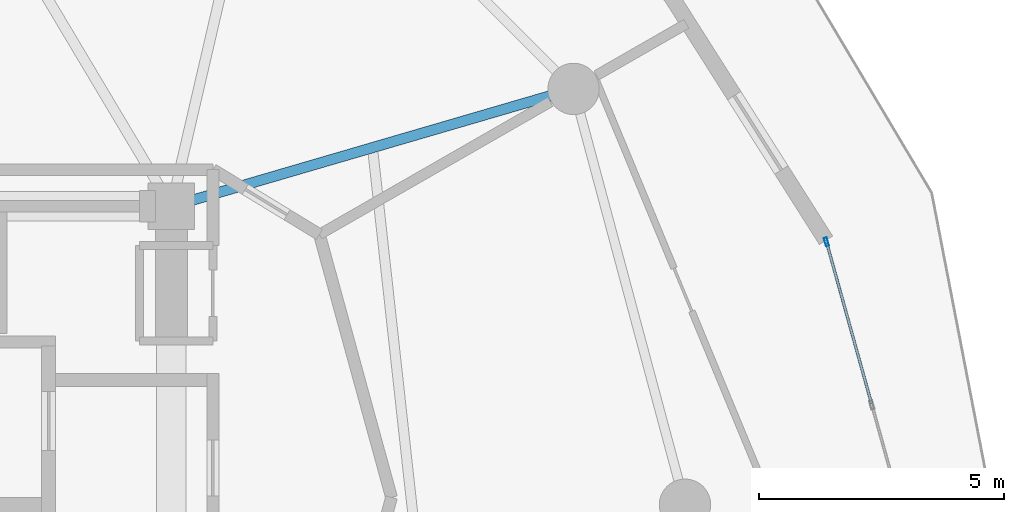
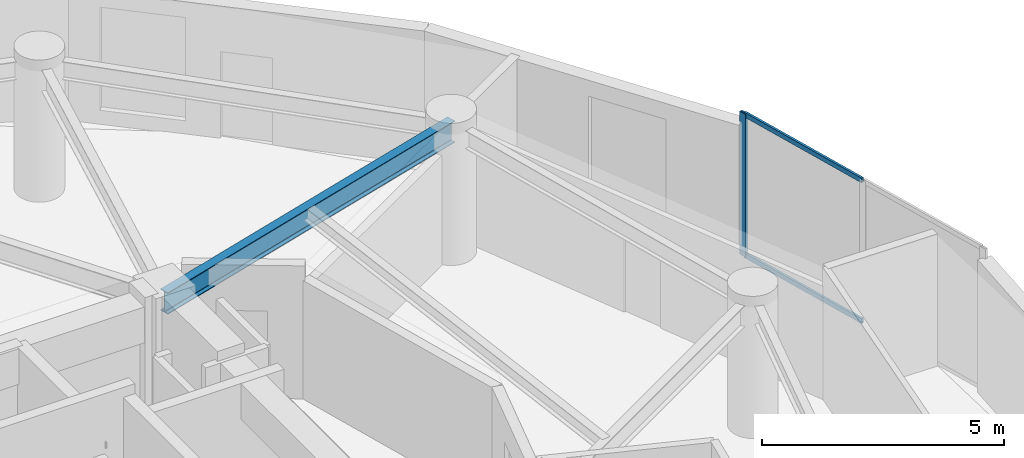
# One storey, part 14 of 25: 3 members, 1 beam, 1 element without a shape of its own.
"""IFC4 building model written with IfcOpenShell, lengths in metres."""

from ifc_helpers import new_model, si_unit, direction, frame, origin, origin_2d, place, context, subcontext, project, spatial, hollow_rectangle, i_section, extrude, source, transform, mapped, material, layer, layer_set, material_profile, profile_set, type_object, element, aggregate, save


model = new_model("IFC4")

# Units and contexts
model_context = context("Model", 3, precision=1e-05, world=origin(), true_north=direction((0.0, 1.0)))
body_context = subcontext(model_context, "Body", "Model", "MODEL_VIEW")
ifc_project = project(units=[si_unit("LENGTHUNIT", "METRE"), si_unit("AREAUNIT", "SQUARE_METRE"), si_unit("VOLUMEUNIT", "CUBIC_METRE"), si_unit("PLANEANGLEUNIT", "RADIAN"), si_unit("MASSUNIT", "GRAM", prefix="KILO")], contexts=[model_context])

# Site, building, storey
site_placement = place(None, origin())
site = spatial("IfcSite", under=ifc_project, at=site_placement, CompositionType="ELEMENT")
building_placement = place(site_placement, origin())
building = spatial("IfcBuilding", under=site, at=building_placement, Name="Solvirekh Grand Hotel", CompositionType="ELEMENT")
storey_placement = place(building_placement, frame((0.0, 0.0, 117.0)))
storey = spatial("IfcBuildingStorey", under=building, at=storey_placement, Name="L29", CompositionType="ELEMENT", Elevation=117.0)

# Beam
ifc_material_1 = material(Name="Steel S355", Category="steel")
ifc_material_profile_1 = material_profile(ifc_material_1, i_section(OverallWidth=0.2119140625, OverallDepth=0.5439453125, WebThickness=0.011962890625, FlangeThickness=0.01904296875, FilletRadius=0.013916015625, at=origin_2d()), Name="W530X123")
ifc_profile_set_1 = profile_set([ifc_material_profile_1], Name="Steel S355")
beam_type = type_object("IfcBeamType", Name="Beam_Radial_W530H", PredefinedType="BEAM", material=ifc_profile_set_1)
beam_placement = place(storey_placement, frame((6.5, 6.10009765625, 3.077880859375), z_axis=(0.959942195467, 0.28019811092, 0.0), x_axis=(-0.28019811092, 0.959942195467, 0.0)))
element("IfcBeam", 1, at=beam_placement, inside=storey, type_object=beam_type, Name="L29 radial floor beam R02", PredefinedType="BEAM", context=body_context, shape_type="SweptSolid", body=[
    extrude(i_section(OverallWidth=0.2119140625, OverallDepth=0.5439453125, WebThickness=0.011962890625, FlangeThickness=0.01904296875, FilletRadius=0.013916015625, at=origin_2d()), origin(), (0.0, 0.0, 1.0), 8.56494140625),
])

# Curtain wall, members
ifc_material_2 = material(Name="Anodized Bronze Aluminium 6063-T6", Category="aluminium")
ifc_layer = layer(ifc_material_2, 0.175048828125)
ifc_layer_set = layer_set([ifc_layer], Name="Anodized Bronze Aluminium 6063-T6")
curtain_wall_type = type_object("IfcCurtainWallType", Name="CW_Sys3_MidZoneFlushBronzeCW", PredefinedType="NOTDEFINED", material=ifc_layer_set)
curtain_wall_placement = place(storey_placement, origin())
curtain_wall = element("IfcCurtainWall", 2, at=curtain_wall_placement, inside=storey, type_object=curtain_wall_type, Name="L29 unitised bronze-glass curtain wall CW-L29-C03", PredefinedType="NOTDEFINED")
ifc_material_profile_2 = material_profile(ifc_material_2, hollow_rectangle(XDim=0.06494140625, YDim=0.175048828125, WallThickness=0.0048828125, at=origin_2d()), Name="ALU RHS 175X65X5")
ifc_profile_set_2 = profile_set([ifc_material_profile_2], Name="Anodized Bronze Aluminium 6063-T6")
member_type_1 = type_object("IfcMemberType", Name="CWMullion_Sys3", PredefinedType="MULLION", material=ifc_profile_set_2)
shared_shape_1 = source(origin(), body_context, "Body", "SweptSolid", [
    extrude(hollow_rectangle(XDim=0.06494140625, YDim=0.175048828125, WallThickness=0.0048828125, at=origin_2d()), origin(), (0.0, 0.0, 1.0), 3.60009765625),
])
member_1_placement = place(storey_placement, frame((19.890625, 5.374755859375, 0.0), z_axis=(0.0, 0.0, 1.0), x_axis=(-0.96326948599, -0.26853658477, 0.0)))
member_1 = element("IfcMember", 3, at=member_1_placement, type_object=member_type_1, Name="U03 mullion 3", PredefinedType="MULLION", context=body_context, shape_type="MappedRepresentation", body=[
    mapped(shared_shape_1, transform((0.0, 0.0, 0.0), x_axis=(1.0, 0.0, 0.0), y_axis=(0.0, 1.0, 0.0), z_axis=(0.0, 0.0, 1.0), scale=1.0)),
])
ifc_material_profile_3 = material_profile(ifc_material_2, hollow_rectangle(XDim=0.054931640625, YDim=0.1201171875, WallThickness=0.00390625, at=origin_2d()), Name="ALU RHS 120X55X4")
ifc_profile_set_3 = profile_set([ifc_material_profile_3], Name="Anodized Bronze Aluminium 6063-T6")
member_type_2 = type_object("IfcMemberType", Name="CWTransom_Sys3", PredefinedType="USERDEFINED", material=ifc_profile_set_3)
shared_shape_2 = source(origin(), body_context, "Body", "SweptSolid", [
    extrude(hollow_rectangle(XDim=0.054931640625, YDim=0.1201171875, WallThickness=0.00390625, at=origin_2d()), origin(), (0.0, 0.0, 1.0), 3.3974609375),
])
member_2_placement = place(storey_placement, frame((20.811767578125, 2.07080078125, 0.027587890625), z_axis=(-0.268536941272, 0.963269386606, 0.0), x_axis=(-0.963269386606, -0.268536941272, 0.0)))
member_2 = element("IfcMember", 4, at=member_2_placement, type_object=member_type_2, Name="U03 transom 2.1", ObjectType="TRANSOM", PredefinedType="USERDEFINED", context=body_context, shape_type="MappedRepresentation", body=[
    mapped(shared_shape_2, transform((0.0, 0.0, 0.0), x_axis=(1.0, 0.0, 0.0), y_axis=(0.0, 1.0, 0.0), z_axis=(0.0, 0.0, 1.0), scale=1.0)),
])
member_3_placement = place(storey_placement, frame((20.811767578125, 2.07080078125, 3.572509765625), z_axis=(-0.268536941272, 0.963269386606, 0.0), x_axis=(-0.963269386606, -0.268536941272, 0.0)))
member_3 = element("IfcMember", 5, at=member_3_placement, type_object=member_type_2, Name="U03 transom 2.2", ObjectType="TRANSOM", PredefinedType="USERDEFINED", context=body_context, shape_type="MappedRepresentation", body=[
    mapped(shared_shape_2, transform((0.0, 0.0, 0.0), x_axis=(1.0, 0.0, 0.0), y_axis=(0.0, 1.0, 0.0), z_axis=(0.0, 0.0, 1.0), scale=1.0)),
])
aggregate(curtain_wall, [member_1, member_2, member_3])

save(model, "model.ifc")
